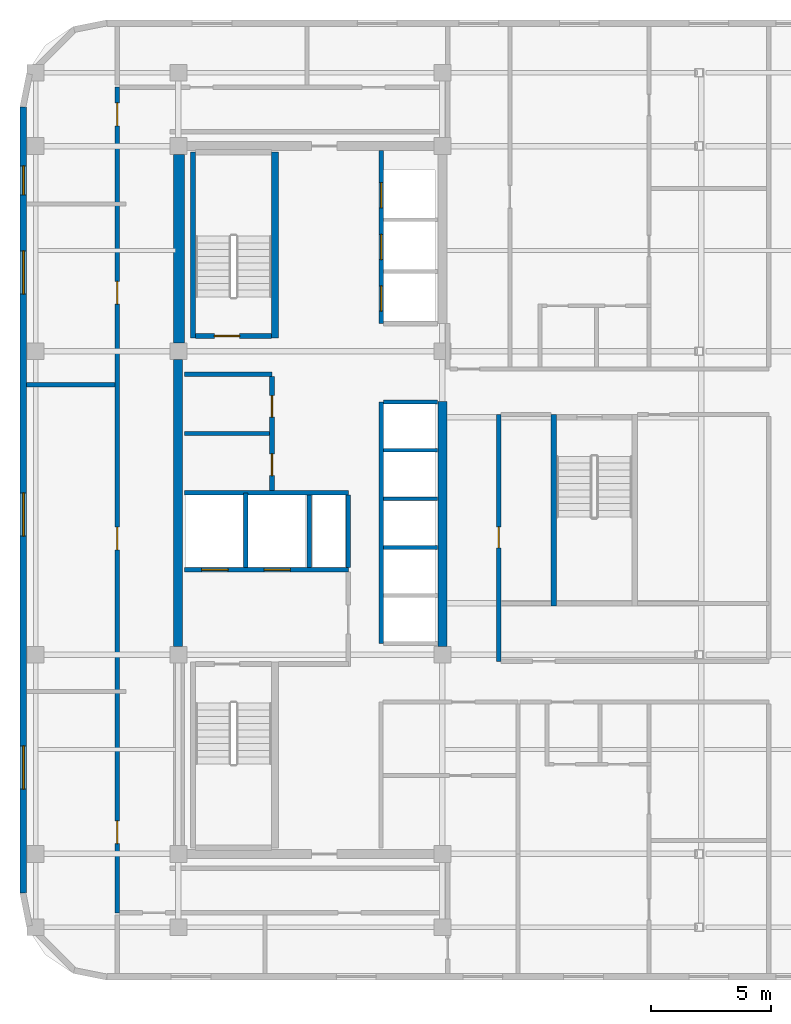
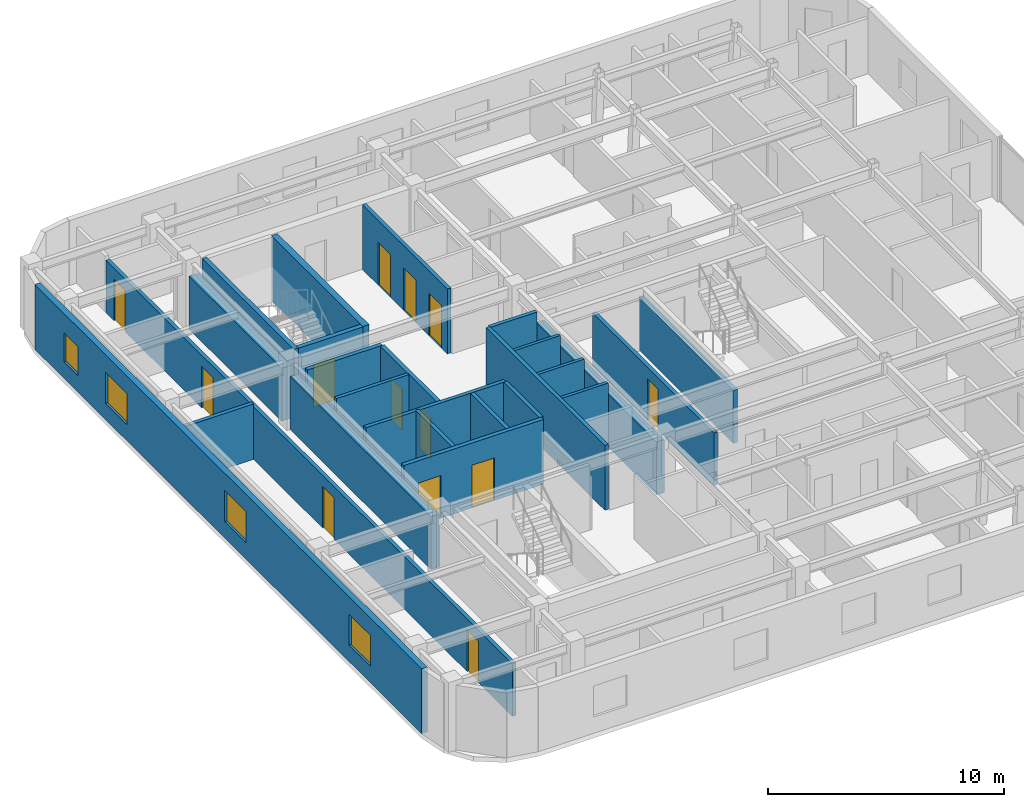
# One storey, part 5 of 9: 25 walls, 13 doors, 4 windows, 17 openings.
"""IFC4 building model written with IfcOpenShell, lengths in metres."""

import ifcopenshell
import ifcopenshell.guid

model = None  # the IFC model being written
_history = None  # IfcOwnerHistory: only IFC2X3 demands one
_inside = {}  # id of a spatial element -> (the spatial element, [elements in it])
_under = {}  # id of a project, library or spatial element -> (it, [spatial elements below it])
_declared = {}  # id of a project -> (the project, [libraries it declares])
_typed = {}  # id of a type object -> (the type object, [elements of that type])
_made_of = {}  # id of a material, layer set ... -> (it, [elements and type objects made of it])


def new_model(schema):
    """Start an empty IFC model of exactly this schema.

    Asked for "IFC4X3", IfcOpenShell would pick the latest addendum, in which some entities
    have other attributes; the version numbers below select the first issue.
    IFC2X3 requires an IfcOwnerHistory on every rooted entity: one is made here for all.
    """
    global model, _history
    if schema == "IFC4X3":
        model = ifcopenshell.file(schema_version=(4, 3, 0, 0))
    else:
        model = ifcopenshell.file(schema=schema)
    _inside.clear()
    _under.clear()
    _declared.clear()
    _typed.clear()
    _made_of.clear()
    _history = None
    if model.schema == "IFC2X3":
        org = make("IfcOrganization", Name="unknown")
        user = make(
            "IfcPersonAndOrganization",
            ThePerson=make("IfcPerson", FamilyName="unknown"),
            TheOrganization=org,
        )
        app = make(
            "IfcApplication",
            ApplicationDeveloper=org,
            Version="unknown",
            ApplicationFullName="unknown",
            ApplicationIdentifier="unknown",
        )
        _history = make(
            "IfcOwnerHistory",
            OwningUser=user,
            OwningApplication=app,
            ChangeAction="ADDED",
            CreationDate=0,
        )
    return model


def make(cls, **values):
    """One entity of the class cls with the attributes given. An attribute that is None is left unset."""
    return model.create_entity(
        cls, **{name: value for name, value in values.items() if value is not None}
    )


def rooted(cls, **values):
    """An entity with a GlobalId (a new one), such as an element, a storey or a relation."""
    return make(cls, GlobalId=ifcopenshell.guid.new(), OwnerHistory=_history, **values)


def si_unit(unit_type, name, prefix=None):
    """IfcSIUnit, for example si_unit("LENGTHUNIT", "METRE", prefix="MILLI")."""
    return make("IfcSIUnit", UnitType=unit_type, Prefix=prefix, Name=name)


def assignment(units):
    """IfcUnitAssignment: the units of a project."""
    return None if units is None else make("IfcUnitAssignment", Units=units)


def point(xyz):
    """IfcCartesianPoint."""
    return None if xyz is None else make("IfcCartesianPoint", Coordinates=xyz)


def direction(xyz):
    """IfcDirection."""
    return None if xyz is None else make("IfcDirection", DirectionRatios=xyz)


def frame(location, z_axis=None, x_axis=None):
    """IfcAxis2Placement3D, a coordinate frame: its origin and axes. An axis left out is left unset."""
    return make(
        "IfcAxis2Placement3D",
        Location=point(location),
        Axis=direction(z_axis),
        RefDirection=direction(x_axis),
    )


def frame_2d(location, x_axis=None):
    """IfcAxis2Placement2D, a coordinate frame in the plane: its origin and x axis."""
    return make(
        "IfcAxis2Placement2D", Location=point(location), RefDirection=direction(x_axis)
    )


def origin():
    """The frame at (0, 0, 0) with its axes left unset."""
    return frame((0.0, 0.0, 0.0))


def place(relative_to, where):
    """IfcLocalPlacement: puts the frame where relative to a parent placement (None: the world)."""
    return make(
        "IfcLocalPlacement", PlacementRelTo=relative_to, RelativePlacement=where
    )


def context(
    kind, dimensions, precision=None, world=None, true_north=None, identifier=None
):
    """IfcGeometricRepresentationContext, for example the 3D "Model" context."""
    return make(
        "IfcGeometricRepresentationContext",
        ContextIdentifier=identifier,
        ContextType=kind,
        CoordinateSpaceDimension=dimensions,
        Precision=precision,
        WorldCoordinateSystem=world,
        TrueNorth=true_north,
    )


def subcontext(parent, identifier, kind, view, scale=None):
    """IfcGeometricRepresentationSubContext, for example "Body" below "Model"."""
    return make(
        "IfcGeometricRepresentationSubContext",
        ContextIdentifier=identifier,
        ContextType=kind,
        ParentContext=parent,
        TargetScale=scale,
        TargetView=view,
    )


def project(units=None, contexts=None):
    """IfcProject with its units and contexts."""
    return rooted(
        "IfcProject",
        Name="project",
        RepresentationContexts=contexts,
        UnitsInContext=assignment(units),
    )


def spatial(cls, under=None, at=None, **own):
    """A site, building, storey or space (cls), placed at a placement, below another one or the project."""
    s = rooted(cls, ObjectPlacement=at, **own)
    if under is not None:
        _under.setdefault(under.id(), (under, []))[1].append(s)
    return s


def profile(cls, at=None, kind="AREA", **sizes):
    """A parametric profile (cls). Its sizes go by their IFC names, for example OverallWidth=200.0."""
    return make(cls, ProfileType=kind, Position=at, **sizes)


def rectangle(**sizes):
    """IfcRectangleProfileDef."""
    return profile("IfcRectangleProfileDef", **sizes)


def extrude(swept, where, along, depth):
    """IfcExtrudedAreaSolid: the profile swept, set in the frame where, extruded along a direction by depth."""
    return make(
        "IfcExtrudedAreaSolid",
        SweptArea=swept,
        Position=where,
        ExtrudedDirection=direction(along),
        Depth=depth,
    )


def shape(context_of_items, identifier, shape_type, items):
    """IfcShapeRepresentation: the items that make up one representation, for example the "Body"."""
    return make(
        "IfcShapeRepresentation",
        ContextOfItems=context_of_items,
        RepresentationIdentifier=identifier,
        RepresentationType=shape_type,
        Items=items,
    )


def material(Name=None, Category=None):
    """IfcMaterial."""
    return make("IfcMaterial", Name=Name, Category=Category)


def layer(
    of_material, thickness, ventilated=None, Name=None, Category=None, Priority=None
):
    """IfcMaterialLayer: one layer of a wall or slab, of a material (None: an air gap)."""
    return make(
        "IfcMaterialLayer",
        Material=of_material,
        LayerThickness=thickness,
        IsVentilated=ventilated,
        Name=Name,
        Category=Category,
        Priority=Priority,
    )


def layer_set(layers, Name=None):
    """IfcMaterialLayerSet."""
    return make("IfcMaterialLayerSet", MaterialLayers=layers, LayerSetName=Name)


def made_of(thing, what):
    """Note that an element or type object is made of a material, layer set ...; save() writes the relation."""
    if what is not None:
        _made_of.setdefault(what.id(), (what, []))[1].append(thing)
    return thing


def type_object(cls, material=None, **own):
    """A type object (cls), such as IfcWallType, which elements share."""
    return made_of(rooted(cls, **own), material)


def element(
    cls,
    number,
    at=None,
    inside=None,
    cuts=None,
    type_object=None,
    material=None,
    context=None,
    identifier="Body",
    shape_type=None,
    held_by="IfcProductDefinitionShape",
    body=None,
    shapes=None,
    **own,
):
    """One element of the class cls, such as IfcWall. Its Tag is "e" and its number.

    at: its placement. inside: the storey or other place that contains it. cuts: it is an
    opening in that element (IfcRelVoidsElement). A single representation is given by context,
    identifier, shape_type and body (its items); several are given by shapes. held_by: the class
    of the entity that holds the representations. save() writes the other relations.
    """
    e = rooted(cls, Tag="e%d" % number, ObjectPlacement=at, **own)
    if body is not None:
        shapes = [shape(context, identifier, shape_type, body)]
    if shapes is not None:
        e.Representation = make(held_by, Representations=shapes)
    if inside is not None:
        _inside.setdefault(inside.id(), (inside, []))[1].append(e)
    if cuts is not None:
        rooted(
            "IfcRelVoidsElement", RelatingBuildingElement=cuts, RelatedOpeningElement=e
        )
    if type_object is not None:
        _typed.setdefault(type_object.id(), (type_object, []))[1].append(e)
    return made_of(e, material)


def fill(opening, filler):
    """IfcRelFillsElement: the door or window that sits in an opening."""
    return rooted(
        "IfcRelFillsElement",
        RelatingOpeningElement=opening,
        RelatedBuildingElement=filler,
    )


def aggregate(whole, parts):
    """IfcRelAggregates: a whole, such as a stair, and the parts it consists of."""
    return rooted("IfcRelAggregates", RelatingObject=whole, RelatedObjects=parts)


def save(model, path):
    """Write the relations noted so far, then the file.

    IfcRelAggregates (storeys below a building ...), IfcRelContainedInSpatialStructure (elements
    in a storey), IfcRelDefinesByType, IfcRelAssociatesMaterial and IfcRelDeclares: one each for
    every whole, place, type object, material and project.
    """
    for whole, parts in _under.values():
        aggregate(whole, parts)
    for where, things in _inside.values():
        rooted(
            "IfcRelContainedInSpatialStructure",
            RelatedElements=things,
            RelatingStructure=where,
        )
    for kind, things in _typed.values():
        rooted("IfcRelDefinesByType", RelatedObjects=things, RelatingType=kind)
    for what, things in _made_of.values():
        rooted("IfcRelAssociatesMaterial", RelatedObjects=things, RelatingMaterial=what)
    for by, libraries in _declared.values():
        rooted("IfcRelDeclares", RelatingContext=by, RelatedDefinitions=libraries)
    model.write(path)


model = new_model("IFC4")

# Units and contexts
model_context = context("Model", 3, precision=1e-05, world=origin(), true_north=direction((0.0, 1.0)))
body_context = subcontext(model_context, "Body", "Model", "MODEL_VIEW")
ifc_project = project(units=[si_unit("LENGTHUNIT", "METRE"), si_unit("AREAUNIT", "SQUARE_METRE"), si_unit("VOLUMEUNIT", "CUBIC_METRE"), si_unit("PLANEANGLEUNIT", "RADIAN"), si_unit("MASSUNIT", "GRAM", prefix="KILO")], contexts=[model_context])

# Site, building, storey
site_placement = place(None, origin())
site = spatial("IfcSite", under=ifc_project, at=site_placement, CompositionType="ELEMENT")
building_placement = place(site_placement, origin())
building = spatial("IfcBuilding", under=site, at=building_placement, Name="Ochreholt Gables", CompositionType="ELEMENT")
storey_placement = place(building_placement, frame((0.0, 0.0, 169.800048828125)))
storey = spatial("IfcBuildingStorey", under=building, at=storey_placement, Name="L44", CompositionType="ELEMENT", Elevation=169.800048828125)

# Walls
ifc_material_1 = material(Name="Concrete 50 MPa", Category="concrete")
ifc_layer_1 = layer(ifc_material_1, 0.3798828125, Name="Concrete 50 MPa")
ifc_layer_set_1 = layer_set([ifc_layer_1], Name="Concrete 50 MPa")
wall_type_1 = type_object("IfcWallType", Name="WALL-CSW-380", PredefinedType="SHEAR", material=ifc_layer_set_1)
wall_1_placement = place(storey_placement, frame((24.18994140625, 17.89990234375, 0.0), z_axis=(0.0, 0.0, 1.0), x_axis=(0.0, 1.0, 0.0)))
element("IfcWall", 1, at=wall_1_placement, inside=storey, type_object=wall_type_1, Name="L44 Core West Shear Wall WM", PredefinedType="SHEAR", context=body_context, shape_type="SweptSolid", body=[
    extrude(rectangle(XDim=11.9501953125, YDim=0.3798828125, at=frame_2d((5.97509765625, 0.0))), origin(), (0.0, 0.0, 1.0), 2.738037109375),
])
wall_2_placement = place(storey_placement, frame((35.2099609375, 17.89990234375, 0.0), z_axis=(0.0, 0.0, 1.0), x_axis=(0.0, 1.0, 0.0)))
element("IfcWall", 2, at=wall_2_placement, inside=storey, type_object=wall_type_1, Name="L44 Core Central-East Shear Wall", PredefinedType="SHEAR", context=body_context, shape_type="SweptSolid", body=[
    extrude(rectangle(XDim=10.2001953125, YDim=0.3798828125, at=frame_2d((5.10009765625, 0.0))), origin(), (0.0, 0.0, 1.0), 2.738037109375),
])
ifc_material_2 = material(Name="Concrete 60 MPa", Category="concrete")
ifc_layer_2 = layer(ifc_material_2, 0.449951171875, Name="Concrete 60 MPa")
ifc_layer_set_2 = layer_set([ifc_layer_2], Name="Concrete 60 MPa")
wall_type_2 = type_object("IfcWallType", Name="WALL-CSW-450", PredefinedType="SHEAR", material=ifc_layer_set_2)
wall_3_placement = place(storey_placement, frame((24.22509765625, 30.550048828125, 0.0), z_axis=(0.0, 0.0, 1.0), x_axis=(0.0, 1.0, 0.0)))
element("IfcWall", 3, at=wall_3_placement, inside=storey, type_object=wall_type_2, Name="L44 Core West Shear Wall WN", PredefinedType="SHEAR", context=body_context, shape_type="SweptSolid", body=[
    extrude(rectangle(XDim=7.849853515625, YDim=0.449951171875, at=frame_2d((3.9248046875, 0.0))), origin(), (0.0, 0.0, 1.0), 2.738037109375),
])

# Wall, openings, windows
ifc_material_3 = material(Name="Precast concrete 40 MPa", Category="concrete")
ifc_layer_3 = layer(ifc_material_3, 0.280029296875, Name="Precast concrete 40 MPa")
ifc_layer_set_3 = layer_set([ifc_layer_3], Name="Precast concrete 40 MPa")
wall_type_3 = type_object("IfcWallType", Name="WALL-EXT-280", PredefinedType="SOLIDWALL", material=ifc_layer_set_3)
wall_4_placement = place(storey_placement, frame((17.739990234375, 40.3798828125, 0.0), z_axis=(0.0, 0.0, 1.0), x_axis=(0.0, -1.0, 0.0)))
wall_4 = element("IfcWall", 4, at=wall_4_placement, inside=storey, type_object=wall_type_3, Name="L44 West Exterior Wall", PredefinedType="SOLIDWALL", context=body_context, shape_type="SweptSolid", body=[
    extrude(rectangle(XDim=32.759765625, YDim=0.280029296875, at=frame_2d((16.3798828125, 0.0))), origin(), (0.0, 0.0, 1.0), 3.349853515625),
])
opening_1_placement = place(wall_4_placement, frame((26.62255859375, 0.0, 0.85009765625)))
opening_1 = element("IfcOpeningElement", 5, at=opening_1_placement, cuts=wall_4, Name="Opening WN-1", PredefinedType="OPENING", context=body_context, shape_type="SweptSolid", body=[
    extrude(rectangle(XDim=1.800048828125, YDim=1.60009765625, at=frame_2d((0.89990234375, 0.800048828125))), frame((0.0, 0.14990234375, 0.0), z_axis=(0.0, -1.0, 0.0), x_axis=(1.0, 0.0, 0.0)), (0.0, 0.0, 1.0), 0.300048828125),
])
opening_2_placement = place(wall_4_placement, frame((16.0849609375, 0.0, 0.85009765625)))
opening_2 = element("IfcOpeningElement", 6, at=opening_2_placement, cuts=wall_4, Name="Opening WN-1", PredefinedType="OPENING", context=body_context, shape_type="SweptSolid", body=[
    extrude(rectangle(XDim=1.800048828125, YDim=1.60009765625, at=frame_2d((0.89990234375, 0.800048828125))), frame((0.0, 0.14990234375, 0.0), z_axis=(0.0, -1.0, 0.0), x_axis=(1.0, 0.0, 0.0)), (0.0, 0.0, 1.0), 0.300048828125),
])
opening_3_placement = place(wall_4_placement, frame((5.99755859375, 0.0, 0.85009765625)))
opening_3 = element("IfcOpeningElement", 7, at=opening_3_placement, cuts=wall_4, Name="Opening WN-1", PredefinedType="OPENING", context=body_context, shape_type="SweptSolid", body=[
    extrude(rectangle(XDim=1.800048828125, YDim=1.60009765625, at=frame_2d((0.89990234375, 0.800048828125))), frame((0.0, 0.14990234375, 0.0), z_axis=(0.0, -1.0, 0.0), x_axis=(1.0, 0.0, 0.0)), (0.0, 0.0, 1.0), 0.300048828125),
])
opening_4_placement = place(wall_4_placement, frame((2.46240234375, 0.0, 0.85009765625)))
opening_4 = element("IfcOpeningElement", 8, at=opening_4_placement, cuts=wall_4, Name="Opening WN-3", PredefinedType="OPENING", context=body_context, shape_type="SweptSolid", body=[
    extrude(rectangle(XDim=1.199951171875, YDim=1.5, at=frame_2d((0.60009765625, 0.75))), frame((0.0, 0.14990234375, 0.0), z_axis=(0.0, -1.0, 0.0), x_axis=(1.0, 0.0, 0.0)), (0.0, 0.0, 1.0), 0.300048828125),
])
ifc_material_4 = material(Name="Triple-Glazed Thermally Broken Aluminium Window", Category="aluminium")
window_type_1 = type_object("IfcWindowType", Name="WIN-RES-1200", PartitioningType="SINGLE_PANEL", PredefinedType="WINDOW", material=ifc_material_4)
window_1_placement = place(opening_4_placement, origin())
window_1 = element("IfcWindow", 9, at=window_1_placement, inside=storey, type_object=window_type_1, Name="L44 Window W-EXT-W-L44-4", OverallHeight=1.5, OverallWidth=1.199951171875, PartitioningType="SINGLE_PANEL", PredefinedType="WINDOW", context=body_context, shape_type="SweptSolid", body=[
    extrude(rectangle(XDim=1.199951171875, YDim=1.5, at=frame_2d((0.60009765625, 0.75))), frame((0.0, 0.030029296875, 0.0), z_axis=(0.0, -1.0, 0.0), x_axis=(1.0, 0.0, 0.0)), (0.0, 0.0, 1.0), 0.06005859375),
])
fill(opening_4, window_1)
window_type_2 = type_object("IfcWindowType", Name="WIN-RES-1800", PartitioningType="SINGLE_PANEL", PredefinedType="WINDOW", material=ifc_material_4)
window_2_placement = place(opening_1_placement, origin())
window_2 = element("IfcWindow", 10, at=window_2_placement, inside=storey, type_object=window_type_2, Name="L44 Window W-EXT-W-L44-1", OverallHeight=1.60009765625, OverallWidth=1.800048828125, PartitioningType="SINGLE_PANEL", PredefinedType="WINDOW", context=body_context, shape_type="SweptSolid", body=[
    extrude(rectangle(XDim=1.800048828125, YDim=1.60009765625, at=frame_2d((0.89990234375, 0.800048828125))), frame((0.0, 0.030029296875, 0.0), z_axis=(0.0, -1.0, 0.0), x_axis=(1.0, 0.0, 0.0)), (0.0, 0.0, 1.0), 0.06005859375),
])
fill(opening_1, window_2)
window_3_placement = place(opening_2_placement, origin())
window_3 = element("IfcWindow", 11, at=window_3_placement, inside=storey, type_object=window_type_2, Name="L44 Window W-EXT-W-L44-2", OverallHeight=1.60009765625, OverallWidth=1.800048828125, PartitioningType="SINGLE_PANEL", PredefinedType="WINDOW", context=body_context, shape_type="SweptSolid", body=[
    extrude(rectangle(XDim=1.800048828125, YDim=1.60009765625, at=frame_2d((0.89990234375, 0.800048828125))), frame((0.0, 0.030029296875, 0.0), z_axis=(0.0, -1.0, 0.0), x_axis=(1.0, 0.0, 0.0)), (0.0, 0.0, 1.0), 0.06005859375),
])
fill(opening_2, window_3)
window_4_placement = place(opening_3_placement, origin())
window_4 = element("IfcWindow", 12, at=window_4_placement, inside=storey, type_object=window_type_2, Name="L44 Window W-EXT-W-L44-3", OverallHeight=1.60009765625, OverallWidth=1.800048828125, PartitioningType="SINGLE_PANEL", PredefinedType="WINDOW", context=body_context, shape_type="SweptSolid", body=[
    extrude(rectangle(XDim=1.800048828125, YDim=1.60009765625, at=frame_2d((0.89990234375, 0.800048828125))), frame((0.0, 0.030029296875, 0.0), z_axis=(0.0, -1.0, 0.0), x_axis=(1.0, 0.0, 0.0)), (0.0, 0.0, 1.0), 0.06005859375),
])
fill(opening_3, window_4)

# Wall, openings, doors
ifc_material_5 = material(Name="Concrete 40 MPa", Category="concrete")
ifc_layer_4 = layer(ifc_material_5, 0.199951171875, Name="Concrete 40 MPa")
ifc_layer_set_4 = layer_set([ifc_layer_4], Name="Concrete 40 MPa")
wall_type_4 = type_object("IfcWallType", Name="WALL-INT-CF200", PredefinedType="STANDARD", material=ifc_layer_set_4)
wall_5_placement = place(storey_placement, frame((24.449951171875, 21.090087890625, 0.0), z_axis=(0.0, 0.0, 1.0), x_axis=(1.0, 0.0, 0.0)))
wall_5 = element("IfcWall", 13, at=wall_5_placement, inside=storey, type_object=wall_type_4, Name="L44 Interior Wall WI-FFN-L44", PredefinedType="STANDARD", context=body_context, shape_type="SweptSolid", body=[
    extrude(rectangle(XDim=6.830078125, YDim=0.199951171875, at=frame_2d((3.4150390625, 0.0))), origin(), (0.0, 0.0, 1.0), 3.349853515625),
])
opening_5_placement = place(wall_5_placement, frame((0.719970703125, 0.0, 0.0)))
opening_5 = element("IfcOpeningElement", 14, at=opening_5_placement, cuts=wall_5, Name="Opening LD-FF", PredefinedType="OPENING", context=body_context, shape_type="SweptSolid", body=[
    extrude(rectangle(XDim=1.10009765625, YDim=2.199951171875, at=frame_2d((0.550048828125, 1.10009765625))), frame((0.0, 0.10986328125, 0.0), z_axis=(0.0, -1.0, 0.0), x_axis=(1.0, 0.0, 0.0)), (0.0, 0.0, 1.0), 0.219970703125),
])
opening_6_placement = place(wall_5_placement, frame((3.320068359375, 0.0, 0.0)))
opening_6 = element("IfcOpeningElement", 15, at=opening_6_placement, cuts=wall_5, Name="Opening LD-FF", PredefinedType="OPENING", context=body_context, shape_type="SweptSolid", body=[
    extrude(rectangle(XDim=1.10009765625, YDim=2.199951171875, at=frame_2d((0.550048828125, 1.10009765625))), frame((0.0, 0.10986328125, 0.0), z_axis=(0.0, -1.0, 0.0), x_axis=(1.0, 0.0, 0.0)), (0.0, 0.0, 1.0), 0.219970703125),
])
ifc_material_6 = material(Name="Stainless Steel", Category="steel")
door_type_1 = type_object("IfcDoorType", Name="DR-LFT-FF1100", OperationType="NOTDEFINED", PredefinedType="DOOR", material=ifc_material_6)
door_1_placement = place(opening_5_placement, origin())
door_1 = element("IfcDoor", 16, at=door_1_placement, inside=storey, type_object=door_type_1, Name="L44 Door LD-FF1-L44", OperationType="SLIDING_TO_LEFT", OverallHeight=2.199951171875, OverallWidth=1.10009765625, PredefinedType="DOOR", context=body_context, shape_type="SweptSolid", body=[
    extrude(rectangle(XDim=1.10009765625, YDim=2.199951171875, at=frame_2d((0.550048828125, 1.10009765625))), frame((0.0, 0.02490234375, 0.0), z_axis=(0.0, -1.0, 0.0), x_axis=(1.0, 0.0, 0.0)), (0.0, 0.0, 1.0), 0.050048828125),
])
fill(opening_5, door_1)
door_2_placement = place(opening_6_placement, origin())
door_2 = element("IfcDoor", 17, at=door_2_placement, inside=storey, type_object=door_type_1, Name="L44 Door LD-FF2-L44", OperationType="SLIDING_TO_LEFT", OverallHeight=2.199951171875, OverallWidth=1.10009765625, PredefinedType="DOOR", context=body_context, shape_type="SweptSolid", body=[
    extrude(rectangle(XDim=1.10009765625, YDim=2.199951171875, at=frame_2d((0.550048828125, 1.10009765625))), frame((0.0, 0.02490234375, 0.0), z_axis=(0.0, -1.0, 0.0), x_axis=(1.0, 0.0, 0.0)), (0.0, 0.0, 1.0), 0.050048828125),
])
fill(opening_6, door_2)

# Wall
wall_6_placement = place(storey_placement, frame((24.449951171875, 29.239990234375, 0.0), z_axis=(0.0, 0.0, 1.0), x_axis=(1.0, 0.0, 0.0)))
element("IfcWall", 18, at=wall_6_placement, inside=storey, type_object=wall_type_4, Name="L44 Interior Wall WI-SRVN-L44", PredefinedType="STANDARD", context=body_context, shape_type="SweptSolid", body=[
    extrude(rectangle(XDim=3.650146484375, YDim=0.199951171875, at=frame_2d((1.8251953125, 0.0))), origin(), (0.0, 0.0, 1.0), 3.349853515625),
])

# Wall, openings, doors
wall_7_placement = place(storey_placement, frame((28.10009765625, 24.389892578125, 0.0), z_axis=(0.0, 0.0, 1.0), x_axis=(0.0, 1.0, 0.0)))
wall_7 = element("IfcWall", 19, at=wall_7_placement, inside=storey, type_object=wall_type_4, Name="L44 Interior Wall WI-SRVE-L44", PredefinedType="STANDARD", context=body_context, shape_type="SweptSolid", body=[
    extrude(rectangle(XDim=4.75, YDim=0.199951171875, at=frame_2d((2.375, 0.0))), origin(), (0.0, 0.0, 1.0), 3.349853515625),
])
opening_7_placement = place(wall_7_placement, frame((0.6298828125, 0.0, 0.0)))
opening_7 = element("IfcOpeningElement", 20, at=opening_7_placement, cuts=wall_7, Name="Opening D-SV1", PredefinedType="OPENING", context=body_context, shape_type="SweptSolid", body=[
    extrude(rectangle(XDim=0.89990234375, YDim=2.10009765625, at=frame_2d((0.449951171875, 1.050048828125))), frame((0.0, 0.10986328125, 0.0), z_axis=(0.0, -1.0, 0.0), x_axis=(1.0, 0.0, 0.0)), (0.0, 0.0, 1.0), 0.219970703125),
])
opening_8_placement = place(wall_7_placement, frame((3.06005859375, 0.0, 0.0)))
opening_8 = element("IfcOpeningElement", 21, at=opening_8_placement, cuts=wall_7, Name="Opening D-SV1", PredefinedType="OPENING", context=body_context, shape_type="SweptSolid", body=[
    extrude(rectangle(XDim=0.89990234375, YDim=2.10009765625, at=frame_2d((0.449951171875, 1.050048828125))), frame((0.0, 0.10986328125, 0.0), z_axis=(0.0, -1.0, 0.0), x_axis=(1.0, 0.0, 0.0)), (0.0, 0.0, 1.0), 0.219970703125),
])
ifc_material_7 = material(Name="Hollow Metal Steel", Category="steel")
door_type_2 = type_object("IfcDoorType", Name="DR-INT-SRV900", OperationType="NOTDEFINED", PredefinedType="DOOR", material=ifc_material_7)
door_3_placement = place(opening_7_placement, origin())
door_3 = element("IfcDoor", 22, at=door_3_placement, inside=storey, type_object=door_type_2, Name="L44 Door D-SRV1-L44", OperationType="SINGLE_SWING_LEFT", OverallHeight=2.10009765625, OverallWidth=0.89990234375, PredefinedType="DOOR", context=body_context, shape_type="SweptSolid", body=[
    extrude(rectangle(XDim=0.89990234375, YDim=2.10009765625, at=frame_2d((0.449951171875, 1.050048828125))), frame((0.0, 0.02490234375, 0.0), z_axis=(0.0, -1.0, 0.0), x_axis=(1.0, 0.0, 0.0)), (0.0, 0.0, 1.0), 0.050048828125),
])
fill(opening_7, door_3)
door_4_placement = place(opening_8_placement, origin())
door_4 = element("IfcDoor", 23, at=door_4_placement, inside=storey, type_object=door_type_2, Name="L44 Door D-SRV2-L44", OperationType="SINGLE_SWING_RIGHT", OverallHeight=2.10009765625, OverallWidth=0.89990234375, PredefinedType="DOOR", context=body_context, shape_type="SweptSolid", body=[
    extrude(rectangle(XDim=0.89990234375, YDim=2.10009765625, at=frame_2d((0.449951171875, 1.050048828125))), frame((0.0, 0.02490234375, 0.0), z_axis=(0.0, -1.0, 0.0), x_axis=(1.0, 0.0, 0.0)), (0.0, 0.0, 1.0), 0.050048828125),
])
fill(opening_8, door_4)

# Wall, opening, door
ifc_material_8 = material(Name="Fire-Rated Gypsum Acoustic Partition", Category="gypsum")
ifc_layer_5 = layer(ifc_material_8, 0.179931640625, Name="Fire-Rated Gypsum Acoustic Partition")
ifc_layer_set_5 = layer_set([ifc_layer_5], Name="Fire-Rated Gypsum Acoustic Partition")
wall_type_5 = type_object("IfcWallType", Name="WALL-INT-CR180", PredefinedType="STANDARD", material=ifc_layer_set_5)
wall_8_placement = place(storey_placement, frame((37.550048828125, 17.280029296875, 0.0), z_axis=(0.0, 0.0, 1.0), x_axis=(0.0, 1.0, 0.0)))
wall_8 = element("IfcWall", 24, at=wall_8_placement, inside=storey, type_object=wall_type_5, Name="L44 Interior Wall WI-C2EM-L44", PredefinedType="STANDARD", context=body_context, shape_type="SweptSolid", body=[
    extrude(rectangle(XDim=10.280029296875, YDim=0.179931640625, at=frame_2d((5.14013671875, 0.0))), origin(), (0.0, 0.0, 1.0), 2.719970703125),
])
opening_9_placement = place(wall_8_placement, frame((4.719970703125, 0.0, 0.0)))
opening_9 = element("IfcOpeningElement", 25, at=opening_9_placement, cuts=wall_8, Name="Opening D-GN2", PredefinedType="OPENING", context=body_context, shape_type="SweptSolid", body=[
    extrude(rectangle(XDim=0.8798828125, YDim=2.1201171875, at=frame_2d((0.43994140625, 1.06005859375))), frame((0.0, 0.099853515625, 0.0), z_axis=(0.0, -1.0, 0.0), x_axis=(1.0, 0.0, 0.0)), (0.0, 0.0, 1.0), 0.199951171875),
])
ifc_material_9 = material(Name="Engineered Oak Timber", Category="wood")
door_type_3 = type_object("IfcDoorType", Name="DR-INT-GEN880", OperationType="NOTDEFINED", PredefinedType="DOOR", material=ifc_material_9)
door_5_placement = place(opening_9_placement, origin())
door_5 = element("IfcDoor", 26, at=door_5_placement, inside=storey, type_object=door_type_3, Name="L44 Door D-C2FMW-L44", OperationType="SINGLE_SWING_RIGHT", OverallHeight=2.1201171875, OverallWidth=0.8798828125, PredefinedType="DOOR", context=body_context, shape_type="SweptSolid", body=[
    extrude(rectangle(XDim=0.8798828125, YDim=2.1201171875, at=frame_2d((0.43994140625, 1.06005859375))), frame((0.0, 0.02490234375, 0.0), z_axis=(0.0, -1.0, 0.0), x_axis=(1.0, 0.0, 0.0)), (0.0, 0.0, 1.0), 0.050048828125),
])
fill(opening_9, door_5)

# Wall, openings, doors
wall_9_placement = place(storey_placement, frame((21.64990234375, 6.800048828125, 0.0), z_axis=(0.0, 0.0, 1.0), x_axis=(0.0, 1.0, 0.0)))
wall_9 = element("IfcWall", 27, at=wall_9_placement, inside=storey, type_object=wall_type_5, Name="L44 Interior Wall WI-C2WCW-L44", PredefinedType="STANDARD", context=body_context, shape_type="SweptSolid", body=[
    extrude(rectangle(XDim=34.39990234375, YDim=0.179931640625, at=frame_2d((17.199951171875, 0.0))), origin(), (0.0, 0.0, 1.0), 2.719970703125),
])
opening_10_placement = place(wall_9_placement, frame((2.882568359375, 0.0, 0.0)))
opening_10 = element("IfcOpeningElement", 28, at=opening_10_placement, cuts=wall_9, Name="Opening D-GN1", PredefinedType="OPENING", context=body_context, shape_type="SweptSolid", body=[
    extrude(rectangle(XDim=0.949951171875, YDim=2.14990234375, at=frame_2d((0.47509765625, 1.074951171875))), frame((0.0, 0.099853515625, 0.0), z_axis=(0.0, -1.0, 0.0), x_axis=(1.0, 0.0, 0.0)), (0.0, 0.0, 1.0), 0.199951171875),
])
opening_11_placement = place(wall_9_placement, frame((15.117431640625, 0.0, 0.0)))
opening_11 = element("IfcOpeningElement", 29, at=opening_11_placement, cuts=wall_9, Name="Opening D-GN1", PredefinedType="OPENING", context=body_context, shape_type="SweptSolid", body=[
    extrude(rectangle(XDim=0.949951171875, YDim=2.14990234375, at=frame_2d((0.47509765625, 1.074951171875))), frame((0.0, 0.099853515625, 0.0), z_axis=(0.0, -1.0, 0.0), x_axis=(1.0, 0.0, 0.0)), (0.0, 0.0, 1.0), 0.199951171875),
])
opening_12_placement = place(wall_9_placement, frame((25.357421875, 0.0, 0.0)))
opening_12 = element("IfcOpeningElement", 30, at=opening_12_placement, cuts=wall_9, Name="Opening D-GN1", PredefinedType="OPENING", context=body_context, shape_type="SweptSolid", body=[
    extrude(rectangle(XDim=0.949951171875, YDim=2.14990234375, at=frame_2d((0.47509765625, 1.074951171875))), frame((0.0, 0.099853515625, 0.0), z_axis=(0.0, -1.0, 0.0), x_axis=(1.0, 0.0, 0.0)), (0.0, 0.0, 1.0), 0.199951171875),
])
opening_13_placement = place(wall_9_placement, frame((32.79248046875, 0.0, 0.0)))
opening_13 = element("IfcOpeningElement", 31, at=opening_13_placement, cuts=wall_9, Name="Opening D-GN1", PredefinedType="OPENING", context=body_context, shape_type="SweptSolid", body=[
    extrude(rectangle(XDim=0.949951171875, YDim=2.14990234375, at=frame_2d((0.47509765625, 1.074951171875))), frame((0.0, 0.099853515625, 0.0), z_axis=(0.0, -1.0, 0.0), x_axis=(1.0, 0.0, 0.0)), (0.0, 0.0, 1.0), 0.199951171875),
])
door_type_4 = type_object("IfcDoorType", Name="DR-INT-GEN950", OperationType="NOTDEFINED", PredefinedType="DOOR", material=ifc_material_9)
door_6_placement = place(opening_10_placement, origin())
door_6 = element("IfcDoor", 32, at=door_6_placement, inside=storey, type_object=door_type_4, Name="L44 Door D-U-L44W1A-ENT", OperationType="SINGLE_SWING_LEFT", OverallHeight=2.14990234375, OverallWidth=0.949951171875, PredefinedType="DOOR", context=body_context, shape_type="SweptSolid", body=[
    extrude(rectangle(XDim=0.949951171875, YDim=2.14990234375, at=frame_2d((0.47509765625, 1.074951171875))), frame((0.0, 0.02490234375, 0.0), z_axis=(0.0, -1.0, 0.0), x_axis=(1.0, 0.0, 0.0)), (0.0, 0.0, 1.0), 0.050048828125),
])
fill(opening_10, door_6)
door_7_placement = place(opening_11_placement, origin())
door_7 = element("IfcDoor", 33, at=door_7_placement, inside=storey, type_object=door_type_4, Name="L44 Door D-U-L44W1B-ENT", OperationType="SINGLE_SWING_RIGHT", OverallHeight=2.14990234375, OverallWidth=0.949951171875, PredefinedType="DOOR", context=body_context, shape_type="SweptSolid", body=[
    extrude(rectangle(XDim=0.949951171875, YDim=2.14990234375, at=frame_2d((0.47509765625, 1.074951171875))), frame((0.0, 0.02490234375, 0.0), z_axis=(0.0, -1.0, 0.0), x_axis=(1.0, 0.0, 0.0)), (0.0, 0.0, 1.0), 0.050048828125),
])
fill(opening_11, door_7)
door_8_placement = place(opening_12_placement, origin())
door_8 = element("IfcDoor", 34, at=door_8_placement, inside=storey, type_object=door_type_4, Name="L44 Door D-U-L44W2A-ENT", OperationType="SINGLE_SWING_RIGHT", OverallHeight=2.14990234375, OverallWidth=0.949951171875, PredefinedType="DOOR", context=body_context, shape_type="SweptSolid", body=[
    extrude(rectangle(XDim=0.949951171875, YDim=2.14990234375, at=frame_2d((0.47509765625, 1.074951171875))), frame((0.0, 0.02490234375, 0.0), z_axis=(0.0, -1.0, 0.0), x_axis=(1.0, 0.0, 0.0)), (0.0, 0.0, 1.0), 0.050048828125),
])
fill(opening_12, door_8)
door_9_placement = place(opening_13_placement, origin())
door_9 = element("IfcDoor", 35, at=door_9_placement, inside=storey, type_object=door_type_4, Name="L44 Door D-U-L44W2B-ENT", OperationType="SINGLE_SWING_LEFT", OverallHeight=2.14990234375, OverallWidth=0.949951171875, PredefinedType="DOOR", context=body_context, shape_type="SweptSolid", body=[
    extrude(rectangle(XDim=0.949951171875, YDim=2.14990234375, at=frame_2d((0.47509765625, 1.074951171875))), frame((0.0, 0.02490234375, 0.0), z_axis=(0.0, -1.0, 0.0), x_axis=(1.0, 0.0, 0.0)), (0.0, 0.0, 1.0), 0.050048828125),
])
fill(opening_13, door_9)

# Walls
ifc_material_10 = material(Name="Double-Stud Acoustic Demising Wall", Category="gypsum")
ifc_layer_6 = layer(ifc_material_10, 0.179931640625, Name="Double-Stud Acoustic Demising Wall")
ifc_layer_set_6 = layer_set([ifc_layer_6], Name="Double-Stud Acoustic Demising Wall")
wall_type_6 = type_object("IfcWallType", Name="WALL-INT-DM180", PredefinedType="PARTITIONING", material=ifc_layer_set_6)
wall_10_placement = place(storey_placement, frame((17.8798828125, 28.800048828125, 0.0), z_axis=(0.0, 0.0, 1.0), x_axis=(1.0, 0.0, 0.0)))
element("IfcWall", 36, at=wall_10_placement, inside=storey, type_object=wall_type_6, Name="L44 Interior Wall WI-C2UDW2-L44", PredefinedType="PARTITIONING", context=body_context, shape_type="SweptSolid", body=[
    extrude(rectangle(XDim=3.68017578125, YDim=0.179931640625, at=frame_2d((1.840087890625, 0.0))), origin(), (0.0, 0.0, 1.0), 2.868896484375),
])
ifc_material_11 = material(Name="Gypsum Acoustic Stud Partition", Category="gypsum")
ifc_layer_7 = layer(ifc_material_11, 0.1650390625, Name="Gypsum Acoustic Stud Partition")
ifc_layer_set_7 = layer_set([ifc_layer_7], Name="Gypsum Acoustic Stud Partition")
wall_type_7 = type_object("IfcWallType", Name="WALL-INT-PT165", PredefinedType="PARTITIONING", material=ifc_layer_set_7)
wall_11_placement = place(storey_placement, frame((24.449951171875, 26.780029296875, 0.0), z_axis=(0.0, 0.0, 1.0), x_axis=(1.0, 0.0, 0.0)))
element("IfcWall", 37, at=wall_11_placement, inside=storey, type_object=wall_type_7, Name="L44 Interior Wall WI-SRVP1-L44", PredefinedType="PARTITIONING", context=body_context, shape_type="SweptSolid", body=[
    extrude(rectangle(XDim=3.550048828125, YDim=0.1650390625, at=frame_2d((1.77490234375, 0.0))), origin(), (0.0, 0.0, 1.0), 3.349853515625),
])
ifc_material_12 = material(Name="Gypsum Shaftliner and Steel Stud", Category="steel")
ifc_layer_8 = layer(ifc_material_12, 0.14990234375, Name="Gypsum Shaftliner and Steel Stud")
ifc_layer_set_8 = layer_set([ifc_layer_8], Name="Gypsum Shaftliner and Steel Stud")
wall_type_8 = type_object("IfcWallType", Name="WALL-INT-SH150", PredefinedType="STANDARD", material=ifc_layer_set_8)
for number, where, z_axis, x_axis, name in (
    (38, (32.739990234375, 22.02001953125, 0.0), (0.0, 0.0, 1.0), (1.0, 0.0, 0.0), "L44 Interior Wall WI-LFHE-DH2-L44"),
    (39, (32.739990234375, 24.050048828125, 0.0), (0.0, 0.0, 1.0), (1.0, 0.0, 0.0), "L44 Interior Wall WI-LFHE-DHE-L44"),
    (40, (32.739990234375, 26.070068359375, 0.0), (0.0, 0.0, 1.0), (1.0, 0.0, 0.0), "L44 Interior Wall WI-LFHE-DEX1-L44"),
):
    element("IfcWall", number, at=place(storey_placement, frame(where, z_axis=z_axis, x_axis=x_axis)), inside=storey, type_object=wall_type_8, Name=name, PredefinedType="STANDARD", context=body_context, shape_type="SweptSolid", body=[
        extrude(rectangle(XDim=2.260009765625, YDim=0.14990234375, at=frame_2d((1.1298828125, 0.0))), origin(), (0.0, 0.0, 1.0), 3.349853515625),
    ])
ifc_layer_9 = layer(ifc_material_12, 0.179931640625, Name="Gypsum Shaftliner and Steel Stud")
ifc_layer_set_9 = layer_set([ifc_layer_9], Name="Gypsum Shaftliner and Steel Stud")
wall_type_9 = type_object("IfcWallType", Name="WALL-INT-SH180", PredefinedType="STANDARD", material=ifc_layer_set_9)
wall_12_placement = place(storey_placement, frame((27.0, 21.18994140625, 0.0), z_axis=(0.0, 0.0, 1.0), x_axis=(0.0, 1.0, 0.0)))
element("IfcWall", 41, at=wall_12_placement, inside=storey, type_object=wall_type_9, Name="L44 Interior Wall WI-FFDIV-L44", PredefinedType="STANDARD", context=body_context, shape_type="SweptSolid", body=[
    extrude(rectangle(XDim=3.110107421875, YDim=0.179931640625, at=frame_2d((1.55517578125, 0.0))), origin(), (0.0, 0.0, 1.0), 3.349853515625),
])
wall_13_placement = place(storey_placement, frame((24.449951171875, 24.300048828125, 0.0), z_axis=(0.0, 0.0, 1.0), x_axis=(1.0, 0.0, 0.0)))
element("IfcWall", 42, at=wall_13_placement, inside=storey, type_object=wall_type_9, Name="L44 Interior Wall WI-FFBK-L44", PredefinedType="STANDARD", context=body_context, shape_type="SweptSolid", body=[
    extrude(rectangle(XDim=6.830078125, YDim=0.179931640625, at=frame_2d((3.4150390625, 0.0))), origin(), (0.0, 0.0, 1.0), 3.349853515625),
])
for number, where, z_axis, x_axis, name in (
    (43, (29.64990234375, 21.18994140625, 0.0), (0.0, 0.0, 1.0), (0.0, 1.0, 0.0), "L44 Interior Wall WI-FFSH-L44"),
    (44, (31.280029296875, 21.18994140625, 0.0), (0.0, 0.0, 1.0), (0.0, 1.0, 0.0), "L44 Interior Wall WI-RSE-L44"),
):
    element("IfcWall", number, at=place(storey_placement, frame(where, z_axis=z_axis, x_axis=x_axis)), inside=storey, type_object=wall_type_9, Name=name, PredefinedType="STANDARD", context=body_context, shape_type="SweptSolid", body=[
        extrude(rectangle(XDim=3.02001953125, YDim=0.179931640625, at=frame_2d((1.510009765625, 0.0))), origin(), (0.0, 0.0, 1.0), 3.349853515625),
    ])
wall_14_placement = place(storey_placement, frame((32.64990234375, 18.02001953125, 0.0), z_axis=(0.0, 0.0, 1.0), x_axis=(0.0, 1.0, 0.0)))
element("IfcWall", 45, at=wall_14_placement, inside=storey, type_object=wall_type_9, Name="L44 Interior Wall WI-LFHE-FR-L44", PredefinedType="STANDARD", context=body_context, shape_type="SweptSolid", body=[
    extrude(rectangle(XDim=10.06005859375, YDim=0.179931640625, at=frame_2d((5.030029296875, 0.0))), origin(), (0.0, 0.0, 1.0), 3.349853515625),
])
wall_15_placement = place(storey_placement, frame((32.739990234375, 28.080078125, 0.0), z_axis=(0.0, 0.0, 1.0), x_axis=(1.0, 0.0, 0.0)))
element("IfcWall", 46, at=wall_15_placement, inside=storey, type_object=wall_type_9, Name="L44 Interior Wall WI-LFHE-N-L44", PredefinedType="STANDARD", context=body_context, shape_type="SweptSolid", body=[
    extrude(rectangle(XDim=2.260009765625, YDim=0.179931640625, at=frame_2d((1.1298828125, 0.0))), origin(), (0.0, 0.0, 1.0), 3.349853515625),
])

# Wall, openings, doors
wall_16_placement = place(storey_placement, frame((32.64990234375, 31.35009765625, 0.0), z_axis=(0.0, 0.0, 1.0), x_axis=(0.0, 1.0, 0.0)))
wall_16 = element("IfcWall", 47, at=wall_16_placement, inside=storey, type_object=wall_type_9, Name="L44 Interior Wall WI-LFM-FR-L44", PredefinedType="STANDARD", context=body_context, shape_type="SweptSolid", body=[
    extrude(rectangle(XDim=7.2099609375, YDim=0.179931640625, at=frame_2d((3.60498046875, 0.0))), origin(), (0.0, 0.0, 1.0), 3.349853515625),
])
opening_14_placement = place(wall_16_placement, frame((0.52001953125, 0.0, 0.0)))
opening_14 = element("IfcOpeningElement", 48, at=opening_14_placement, cuts=wall_16, Name="Opening LD-PX", PredefinedType="OPENING", context=body_context, shape_type="SweptSolid", body=[
    extrude(rectangle(XDim=1.050048828125, YDim=2.199951171875, at=frame_2d((0.52490234375, 1.10009765625))), frame((0.0, 0.099853515625, 0.0), z_axis=(0.0, -1.0, 0.0), x_axis=(1.0, 0.0, 0.0)), (0.0, 0.0, 1.0), 0.199951171875),
])
opening_15_placement = place(wall_16_placement, frame((2.669921875, 0.0, 0.0)))
opening_15 = element("IfcOpeningElement", 49, at=opening_15_placement, cuts=wall_16, Name="Opening LD-PX", PredefinedType="OPENING", context=body_context, shape_type="SweptSolid", body=[
    extrude(rectangle(XDim=1.050048828125, YDim=2.199951171875, at=frame_2d((0.52490234375, 1.10009765625))), frame((0.0, 0.099853515625, 0.0), z_axis=(0.0, -1.0, 0.0), x_axis=(1.0, 0.0, 0.0)), (0.0, 0.0, 1.0), 0.199951171875),
])
opening_16_placement = place(wall_16_placement, frame((4.820068359375, 0.0, 0.0)))
opening_16 = element("IfcOpeningElement", 50, at=opening_16_placement, cuts=wall_16, Name="Opening LD-PX", PredefinedType="OPENING", context=body_context, shape_type="SweptSolid", body=[
    extrude(rectangle(XDim=1.050048828125, YDim=2.199951171875, at=frame_2d((0.52490234375, 1.10009765625))), frame((0.0, 0.099853515625, 0.0), z_axis=(0.0, -1.0, 0.0), x_axis=(1.0, 0.0, 0.0)), (0.0, 0.0, 1.0), 0.199951171875),
])
door_type_5 = type_object("IfcDoorType", Name="DR-LFT-PX1050", OperationType="NOTDEFINED", PredefinedType="DOOR", material=ifc_material_6)
door_10_placement = place(opening_14_placement, origin())
door_10 = element("IfcDoor", 51, at=door_10_placement, inside=storey, type_object=door_type_5, Name="L44 Door LD-M1-L44", OperationType="SLIDING_TO_LEFT", OverallHeight=2.199951171875, OverallWidth=1.050048828125, PredefinedType="DOOR", context=body_context, shape_type="SweptSolid", body=[
    extrude(rectangle(XDim=1.050048828125, YDim=2.199951171875, at=frame_2d((0.52490234375, 1.10009765625))), frame((0.0, 0.02490234375, 0.0), z_axis=(0.0, -1.0, 0.0), x_axis=(1.0, 0.0, 0.0)), (0.0, 0.0, 1.0), 0.050048828125),
])
fill(opening_14, door_10)
door_11_placement = place(opening_15_placement, origin())
door_11 = element("IfcDoor", 52, at=door_11_placement, inside=storey, type_object=door_type_5, Name="L44 Door LD-M2-L44", OperationType="SLIDING_TO_LEFT", OverallHeight=2.199951171875, OverallWidth=1.050048828125, PredefinedType="DOOR", context=body_context, shape_type="SweptSolid", body=[
    extrude(rectangle(XDim=1.050048828125, YDim=2.199951171875, at=frame_2d((0.52490234375, 1.10009765625))), frame((0.0, 0.02490234375, 0.0), z_axis=(0.0, -1.0, 0.0), x_axis=(1.0, 0.0, 0.0)), (0.0, 0.0, 1.0), 0.050048828125),
])
fill(opening_15, door_11)
door_12_placement = place(opening_16_placement, origin())
door_12 = element("IfcDoor", 53, at=door_12_placement, inside=storey, type_object=door_type_5, Name="L44 Door LD-M3-L44", OperationType="SLIDING_TO_LEFT", OverallHeight=2.199951171875, OverallWidth=1.050048828125, PredefinedType="DOOR", context=body_context, shape_type="SweptSolid", body=[
    extrude(rectangle(XDim=1.050048828125, YDim=2.199951171875, at=frame_2d((0.52490234375, 1.10009765625))), frame((0.0, 0.02490234375, 0.0), z_axis=(0.0, -1.0, 0.0), x_axis=(1.0, 0.0, 0.0)), (0.0, 0.0, 1.0), 0.050048828125),
])
fill(opening_16, door_12)

# Walls
ifc_layer_10 = layer(ifc_material_2, 0.300048828125, Name="Concrete 60 MPa")
ifc_layer_set_10 = layer_set([ifc_layer_10], Name="Concrete 60 MPa")
wall_type_10 = type_object("IfcWallType", Name="WALL-SPN-300", PredefinedType="SHEAR", material=ifc_layer_set_10)
wall_17_placement = place(storey_placement, frame((28.22998046875, 30.739990234375, 0.0), z_axis=(0.0, 0.0, 1.0), x_axis=(0.0, 1.0, 0.0)))
element("IfcWall", 54, at=wall_17_placement, inside=storey, type_object=wall_type_10, Name="L44 Core North Spine Shear Wall", PredefinedType="SHEAR", context=body_context, shape_type="SweptSolid", body=[
    extrude(rectangle(XDim=7.760009765625, YDim=0.300048828125, at=frame_2d((3.8798828125, 0.0))), origin(), (0.0, 0.0, 1.0), 3.349853515625),
])
ifc_layer_11 = layer(ifc_material_1, 0.219970703125, Name="Concrete 50 MPa")
ifc_layer_set_11 = layer_set([ifc_layer_11], Name="Concrete 50 MPa")
wall_type_11 = type_object("IfcWallType", Name="WALL-STW-220", PredefinedType="SHEAR", material=ifc_layer_set_11)
wall_18_placement = place(storey_placement, frame((24.81005859375, 30.739990234375, 0.0), z_axis=(0.0, 0.0, 1.0), x_axis=(0.0, 1.0, 0.0)))
element("IfcWall", 55, at=wall_18_placement, inside=storey, type_object=wall_type_11, Name="L44 Exit Stair 2 West Wall", PredefinedType="SHEAR", context=body_context, shape_type="SweptSolid", body=[
    extrude(rectangle(XDim=7.760009765625, YDim=0.219970703125, at=frame_2d((3.8798828125, 0.0))), origin(), (0.0, 0.0, 1.0), 3.349853515625),
])

# Wall, opening, door
wall_19_placement = place(storey_placement, frame((24.919921875, 30.830078125, 0.0), z_axis=(0.0, 0.0, 1.0), x_axis=(1.0, 0.0, 0.0)))
wall_19 = element("IfcWall", 56, at=wall_19_placement, inside=storey, type_object=wall_type_11, Name="L44 Exit Stair 2 South Wall", PredefinedType="SHEAR", context=body_context, shape_type="SweptSolid", body=[
    extrude(rectangle(XDim=3.16015625, YDim=0.219970703125, at=frame_2d((1.580078125, 0.0))), origin(), (0.0, 0.0, 1.0), 3.349853515625),
])
opening_17_placement = place(wall_19_placement, frame((0.780029296875, 0.0, 0.0)))
opening_17 = element("IfcOpeningElement", 57, at=opening_17_placement, cuts=wall_19, Name="Opening D-STC", PredefinedType="OPENING", context=body_context, shape_type="SweptSolid", body=[
    extrude(rectangle(XDim=1.050048828125, YDim=2.14990234375, at=frame_2d((0.52490234375, 1.074951171875))), frame((0.0, 0.119873046875, 0.0), z_axis=(0.0, -1.0, 0.0), x_axis=(1.0, 0.0, 0.0)), (0.0, 0.0, 1.0), 0.239990234375),
])
door_type_6 = type_object("IfcDoorType", Name="DR-INT-ST1050", OperationType="NOTDEFINED", PredefinedType="DOOR", material=ifc_material_7)
door_13_placement = place(opening_17_placement, origin())
door_13 = element("IfcDoor", 58, at=door_13_placement, inside=storey, type_object=door_type_6, Name="L44 Door D-ST2-L44", OperationType="SINGLE_SWING_RIGHT", OverallHeight=2.14990234375, OverallWidth=1.050048828125, PredefinedType="DOOR", context=body_context, shape_type="SweptSolid", body=[
    extrude(rectangle(XDim=1.050048828125, YDim=2.14990234375, at=frame_2d((0.52490234375, 1.074951171875))), frame((0.0, 0.02490234375, 0.0), z_axis=(0.0, -1.0, 0.0), x_axis=(1.0, 0.0, 0.0)), (0.0, 0.0, 1.0), 0.050048828125),
])
fill(opening_17, door_13)

# Wall
wall_20_placement = place(storey_placement, frame((39.840087890625, 19.580078125, 0.0), z_axis=(0.0, 0.0, 1.0), x_axis=(0.0, 1.0, 0.0)))
element("IfcWall", 59, at=wall_20_placement, inside=storey, type_object=wall_type_11, Name="L44 Feature Stair ST-C4 West Wall", PredefinedType="SHEAR", context=body_context, shape_type="SweptSolid", body=[
    extrude(rectangle(XDim=7.97998046875, YDim=0.219970703125, at=frame_2d((3.989990234375, 0.0))), origin(), (0.0, 0.0, 1.0), 2.73828125),
])

save(model, "model.ifc")
